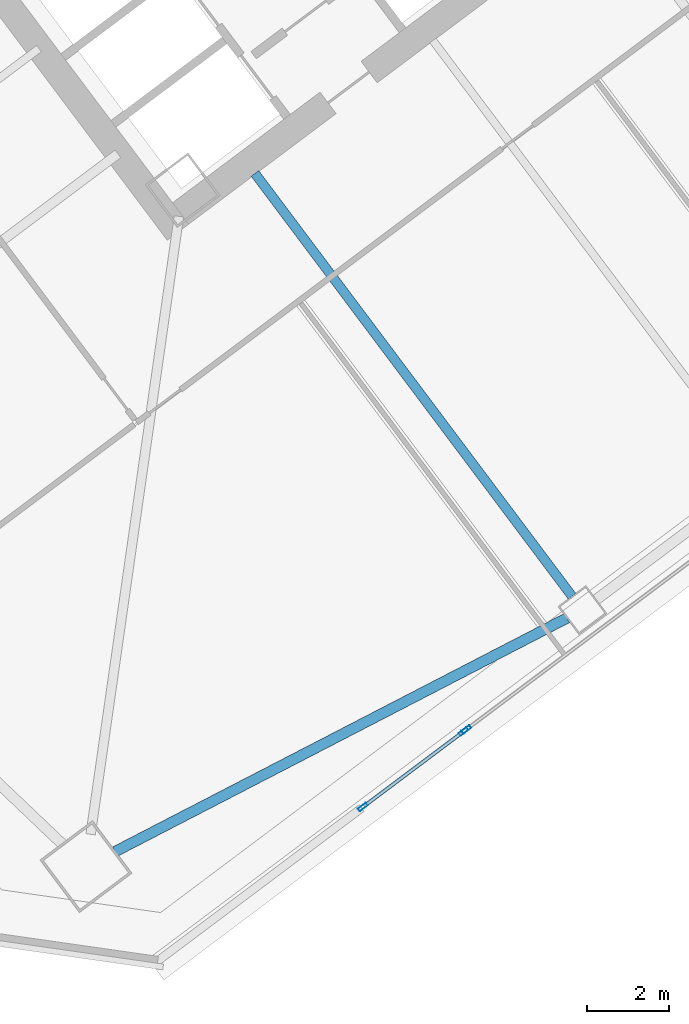
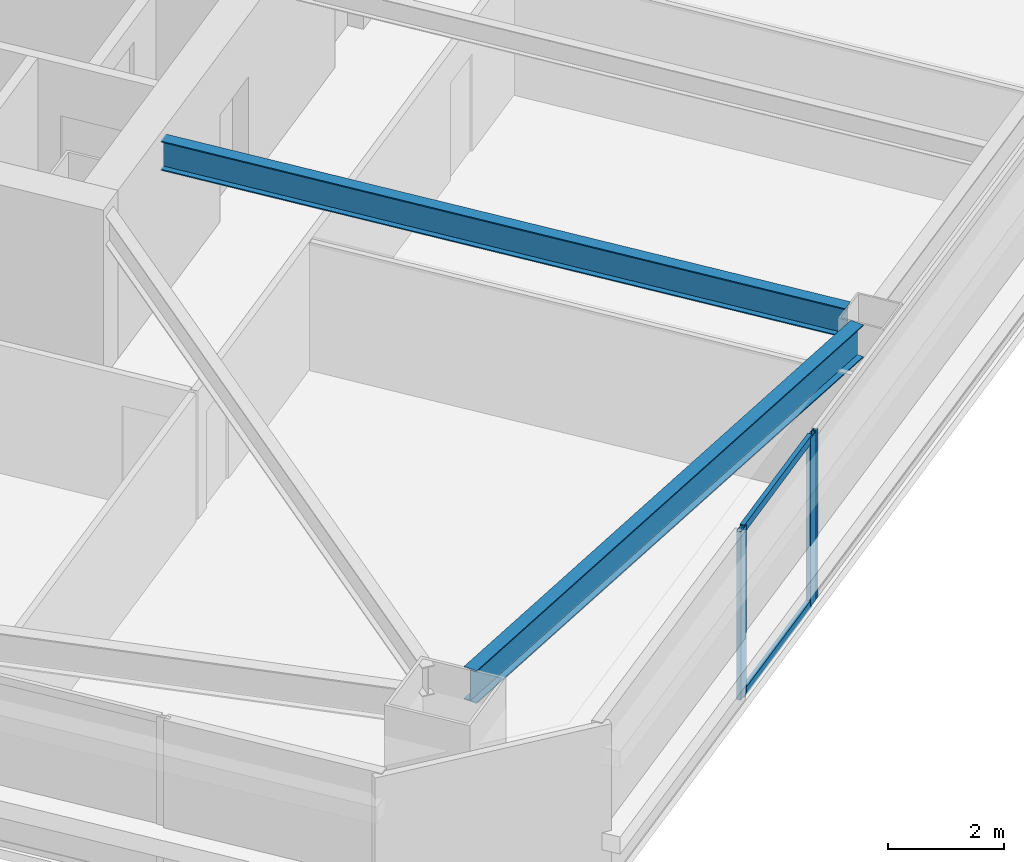
# One storey, part 23 of 46: 5 members, 2 beams, 2 elements without a shape of their own.
"""IFC4 building model written with IfcOpenShell, lengths in metres."""

from ifc_helpers import new_model, si_unit, direction, frame, origin, origin_2d, place, context, subcontext, project, spatial, hollow_rectangle, i_section, extrude, material, material_profile, profile_set, type_object, element, aggregate, save


model = new_model("IFC4")

# Units and contexts
model_context = context("Model", 3, precision=1e-05, world=origin(), true_north=direction((0.0, 1.0)))
body_context = subcontext(model_context, "Body", "Model", "MODEL_VIEW")
ifc_project = project(units=[si_unit("LENGTHUNIT", "METRE"), si_unit("AREAUNIT", "SQUARE_METRE"), si_unit("VOLUMEUNIT", "CUBIC_METRE"), si_unit("PLANEANGLEUNIT", "RADIAN"), si_unit("MASSUNIT", "GRAM", prefix="KILO")], contexts=[model_context])

# Site, building, storey
site_placement = place(None, origin())
site = spatial("IfcSite", under=ifc_project, at=site_placement, CompositionType="ELEMENT")
building_placement = place(site_placement, origin())
building = spatial("IfcBuilding", under=site, at=building_placement, Name="Tashvorn Skyway Center", CompositionType="ELEMENT")
storey_placement = place(building_placement, frame((0.0, 0.0, 60.10009765625)))
storey = spatial("IfcBuildingStorey", under=building, at=storey_placement, Name="L15", CompositionType="ELEMENT", Elevation=60.10009765625)

# Beams
ifc_material_1 = material(Name="Steel ASTM A992 Grade 50", Category="steel")
ifc_material_profile_1 = material_profile(ifc_material_1, i_section(OverallWidth=0.22998046875, OverallDepth=0.616943359375, WebThickness=0.01318359375, FlangeThickness=0.022216796875, at=origin_2d()), Name="W24X94")
ifc_profile_set_1 = profile_set([ifc_material_profile_1], Name="Steel ASTM A992 Grade 50")
beam_type_1 = type_object("IfcBeamType", Name="BM-BEAM-W24X94", PredefinedType="BEAM", material=ifc_profile_set_1)
beam_1_placement = place(storey_placement, frame((122.05810546875, 12.256103515625, 3.04150390625), z_axis=(-0.600018239213, 0.799986320265, 0.0), x_axis=(-0.799986320265, -0.600018239213, 0.0)))
element("IfcBeam", 1, at=beam_1_placement, inside=storey, type_object=beam_type_1, Name="Tower 2 L15 Primary Floor Girder FC-S1", PredefinedType="BEAM", context=body_context, shape_type="SweptSolid", body=[
    extrude(i_section(OverallWidth=0.22998046875, OverallDepth=0.616943359375, WebThickness=0.01318359375, FlangeThickness=0.022216796875, at=origin_2d()), origin(), (0.0, 0.0, 1.0), 12.849853515625),
])
ifc_material_profile_2 = material_profile(ifc_material_1, i_section(OverallWidth=0.256103515625, OverallDepth=0.693115234375, WebThickness=0.014404296875, FlangeThickness=0.023681640625, at=origin_2d()), Name="W27X114")
ifc_profile_set_2 = profile_set([ifc_material_profile_2], Name="Steel ASTM A992 Grade 50")
beam_type_2 = type_object("IfcBeamType", Name="BM-SPANDREL-W27X114", PredefinedType="SPANDREL", material=ifc_profile_set_2)
beam_2_placement = place(storey_placement, frame((110.9462890625, 6.045166015625, 3.00341796875), z_axis=(0.888315637339, 0.459233413919, 0.0), x_axis=(-0.459233413919, 0.888315637339, 0.0)))
element("IfcBeam", 2, at=beam_2_placement, inside=storey, type_object=beam_type_2, Name="Tower 2 L15 Spandrel Beam 01", PredefinedType="SPANDREL", context=body_context, shape_type="SweptSolid", body=[
    extrude(i_section(OverallWidth=0.256103515625, OverallDepth=0.693115234375, WebThickness=0.014404296875, FlangeThickness=0.023681640625, at=origin_2d()), origin(), (0.0, 0.0, 1.0), 12.37255859375),
])

# Curtain wall, member
ifc_material_2 = material(Name="Thermally broken bronze-anodized aluminium 6063-T6", Category="aluminium")
curtain_wall_type = type_object("IfcCurtainWallType", Name="CW-CW-Z1", PredefinedType="NOTDEFINED", material=ifc_material_2)
curtain_wall_1_placement = place(storey_placement, origin())
curtain_wall_1 = element("IfcCurtainWall", 3, at=curtain_wall_1_placement, inside=storey, type_object=curtain_wall_type, Name="Tower 2 L15 South Unitised Curtain Wall Glazing Group 2", PredefinedType="NOTDEFINED")
ifc_material_profile_3 = material_profile(ifc_material_2, hollow_rectangle(XDim=0.0849609375, YDim=0.239990234375, WallThickness=0.0048828125, at=origin_2d()), Name="ALU-MULL-85x240")
ifc_profile_set_3 = profile_set([ifc_material_profile_3], Name="Thermally broken bronze-anodized aluminium 6063-T6")
member_type_1 = type_object("IfcMemberType", Name="CWM-CW-Z1", PredefinedType="MULLION", material=ifc_profile_set_3)
member_1_placement = place(storey_placement, frame((119.489990234375, 9.017578125, 0.0), z_axis=(0.0, 0.0, 1.0), x_axis=(0.600000000002, -0.799999999998, 0.0)))
member_1 = element("IfcMember", 4, at=member_1_placement, type_object=member_type_1, Name="CW-Z1 mullion 3", PredefinedType="MULLION", context=body_context, shape_type="SweptSolid", body=[
    extrude(hollow_rectangle(XDim=0.0849609375, YDim=0.239990234375, WallThickness=0.0048828125, at=origin_2d()), origin(), (0.0, 0.0, 1.0), 3.5498046875),
])
aggregate(curtain_wall_1, [member_1])

# Curtain wall, members
curtain_wall_2_placement = place(storey_placement, origin())
curtain_wall_2 = element("IfcCurtainWall", 5, at=curtain_wall_2_placement, inside=storey, type_object=curtain_wall_type, Name="Tower 2 L15 South Unitised Curtain Wall Glazing Group 3", PredefinedType="NOTDEFINED")
member_2_placement = place(storey_placement, frame((119.422119140625, 8.966552734375, 0.0), z_axis=(0.0, 0.0, 1.0), x_axis=(0.600005084776, -0.799996186392, 0.0)))
member_2 = element("IfcMember", 6, at=member_2_placement, type_object=member_type_1, Name="CW-Z1 mullion 1", PredefinedType="MULLION", context=body_context, shape_type="SweptSolid", body=[
    extrude(hollow_rectangle(XDim=0.0849609375, YDim=0.239990234375, WallThickness=0.0048828125, at=origin_2d()), origin(), (0.0, 0.0, 1.0), 3.5498046875),
])
member_3_placement = place(storey_placement, frame((116.97265625, 7.12939453125, 0.0), z_axis=(0.0, 0.0, 1.0), x_axis=(0.600005084776, -0.799996186392, 0.0)))
member_3 = element("IfcMember", 7, at=member_3_placement, type_object=member_type_1, Name="CW-Z1 mullion 2", PredefinedType="MULLION", context=body_context, shape_type="SweptSolid", body=[
    extrude(hollow_rectangle(XDim=0.0849609375, YDim=0.239990234375, WallThickness=0.0048828125, at=origin_2d()), origin(), (0.0, 0.0, 1.0), 3.5498046875),
])
ifc_material_profile_4 = material_profile(ifc_material_2, hollow_rectangle(XDim=0.0849609375, YDim=0.1650390625, WallThickness=0.0048828125, at=origin_2d()), Name="ALU-TRAN-85x165")
ifc_profile_set_4 = profile_set([ifc_material_profile_4], Name="Thermally broken bronze-anodized aluminium 6063-T6")
member_type_2 = type_object("IfcMemberType", Name="CWT-CW-Z1", PredefinedType="USERDEFINED", material=ifc_profile_set_4)
member_4_placement = place(storey_placement, frame((119.387939453125, 8.94091796875, 0.04248046875), z_axis=(-0.800019684286, -0.599973753388, 0.0), x_axis=(0.599973753388, -0.800019684286, 0.0)))
member_4 = element("IfcMember", 8, at=member_4_placement, type_object=member_type_2, Name="CW-Z1 transom 1.1", ObjectType="TRANSOM", PredefinedType="USERDEFINED", context=body_context, shape_type="SweptSolid", body=[
    extrude(hollow_rectangle(XDim=0.0849609375, YDim=0.1650390625, WallThickness=0.0048828125, at=origin_2d()), origin(), (0.0, 0.0, 1.0), 2.9765625),
])
member_5_placement = place(storey_placement, frame((119.387939453125, 8.94091796875, 3.50732421875), z_axis=(-0.800019684286, -0.599973753388, 0.0), x_axis=(0.599973753388, -0.800019684286, 0.0)))
member_5 = element("IfcMember", 9, at=member_5_placement, type_object=member_type_2, Name="CW-Z1 transom 1.2", ObjectType="TRANSOM", PredefinedType="USERDEFINED", context=body_context, shape_type="SweptSolid", body=[
    extrude(hollow_rectangle(XDim=0.0849609375, YDim=0.1650390625, WallThickness=0.0048828125, at=origin_2d()), origin(), (0.0, 0.0, 1.0), 2.9765625),
])
aggregate(curtain_wall_2, [member_2, member_3, member_4, member_5])

save(model, "model.ifc")
